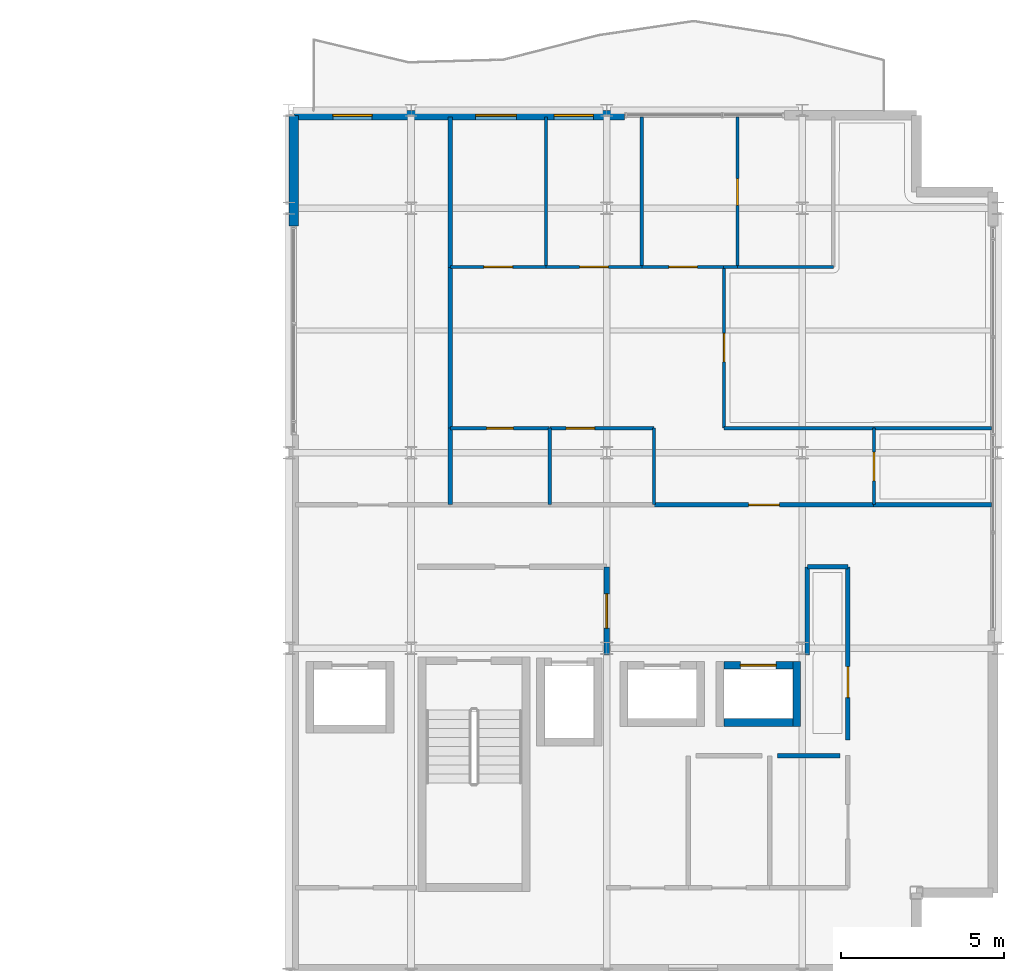
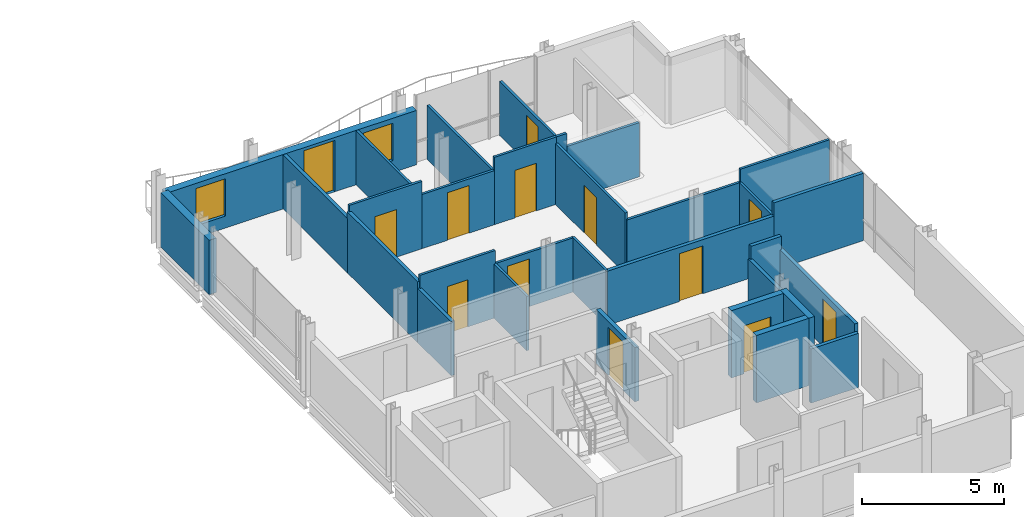
# One storey, part 26 of 29: 31 walls, 13 doors, 2 windows, 15 openings.
"""IFC4 building model written with IfcOpenShell, lengths in metres."""

from ifc_helpers import new_model, si_unit, direction, frame, frame_2d, origin, place, context, subcontext, project, spatial, rectangle, extrude, material, layer, layer_set, type_object, element, fill, save


model = new_model("IFC4")

# Units and contexts
model_context = context("Model", 3, precision=1e-05, world=origin(), true_north=direction((0.0, 1.0)))
body_context = subcontext(model_context, "Body", "Model", "MODEL_VIEW")
ifc_project = project(units=[si_unit("LENGTHUNIT", "METRE"), si_unit("AREAUNIT", "SQUARE_METRE"), si_unit("VOLUMEUNIT", "CUBIC_METRE"), si_unit("PLANEANGLEUNIT", "RADIAN"), si_unit("MASSUNIT", "GRAM", prefix="KILO")], contexts=[model_context])

# Site, building, storey
site_placement = place(None, origin())
site = spatial("IfcSite", under=ifc_project, at=site_placement, CompositionType="ELEMENT")
building_placement = place(site_placement, origin())
building = spatial("IfcBuilding", under=site, at=building_placement, Name="Brevholm Reach", CompositionType="ELEMENT")
storey_placement = place(building_placement, frame((0.0, 0.0, 208.0)))
storey = spatial("IfcBuildingStorey", under=building, at=storey_placement, Name="L63", CompositionType="ELEMENT", Elevation=208.0)

# Walls
ifc_material_1 = material(Name="Concrete C45/55", Category="concrete")
ifc_layer_1 = layer(ifc_material_1, 0.239990234375)
ifc_layer_set_1 = layer_set([ifc_layer_1], Name="Concrete C45/55")
wall_type_1 = type_object("IfcWallType", Name="WAL-COR-240", PredefinedType="SHEAR", material=ifc_layer_set_1)
wall_1_placement = place(storey_placement, frame((53.830078125, 7.60009765625, 0.0), z_axis=(0.0, 0.0, 1.0), x_axis=(0.0, 1.0, 0.0)))
element("IfcWall", 1, at=wall_1_placement, inside=storey, type_object=wall_type_1, Name="L63 Lift PL-H2 Shaft Wall E", PredefinedType="SHEAR", context=body_context, shape_type="SweptSolid", body=[
    extrude(rectangle(XDim=2.0, YDim=0.239990234375, at=frame_2d((1.0, 0.0))), origin(), (0.0, 0.0, 1.0), 2.889892578125),
])
wall_2_placement = place(storey_placement, frame((51.590087890625, 7.719970703125, 0.0), z_axis=(0.0, 0.0, 1.0), x_axis=(1.0, 0.0, 0.0)))
element("IfcWall", 2, at=wall_2_placement, inside=storey, type_object=wall_type_1, Name="L63 Lift PL-H2 Shaft Wall S", PredefinedType="SHEAR", context=body_context, shape_type="SweptSolid", body=[
    extrude(rectangle(XDim=2.119873046875, YDim=0.239990234375, at=frame_2d((1.06005859375, 0.0))), origin(), (0.0, 0.0, 1.0), 2.889892578125),
])

# Wall, opening, door
wall_3_placement = place(storey_placement, frame((51.590087890625, 9.47998046875, 0.0), z_axis=(0.0, 0.0, 1.0), x_axis=(1.0, 0.0, 0.0)))
wall_3 = element("IfcWall", 3, at=wall_3_placement, inside=storey, type_object=wall_type_1, Name="L63 Lift PL-H2 Shaft Wall N", PredefinedType="SHEAR", context=body_context, shape_type="SweptSolid", body=[
    extrude(rectangle(XDim=2.119873046875, YDim=0.239990234375, at=frame_2d((1.06005859375, 0.0))), origin(), (0.0, 0.0, 1.0), 2.889892578125),
])
opening_1_placement = place(wall_3_placement, frame((0.510009765625, 0.0, 0.0)))
opening_1 = element("IfcOpeningElement", 4, at=opening_1_placement, cuts=wall_3, Name="Opening LD-PL-H2", PredefinedType="OPENING", context=body_context, shape_type="SweptSolid", body=[
    extrude(rectangle(XDim=1.10009765625, YDim=2.06005859375, at=frame_2d((0.550048828125, 1.030029296875))), frame((0.0, 0.1298828125, 0.0), z_axis=(0.0, -1.0, 0.0), x_axis=(1.0, 0.0, 0.0)), (0.0, 0.0, 1.0), 0.260009765625),
])
ifc_material_2 = material(Name="Brushed Stainless Steel Fire-Rated Sliding Lift Door", Category="steel")
door_type_1 = type_object("IfcDoorType", Name="DOR-LFT-1100", OperationType="NOTDEFINED", PredefinedType="DOOR", material=ifc_material_2)
door_1_placement = place(opening_1_placement, origin())
door_1 = element("IfcDoor", 5, at=door_1_placement, inside=storey, type_object=door_type_1, Name="L63 Lift PL-H2 Sliding Landing Door", OperationType="SLIDING_TO_LEFT", OverallHeight=2.06005859375, OverallWidth=1.10009765625, PredefinedType="DOOR", context=body_context, shape_type="SweptSolid", body=[
    extrude(rectangle(XDim=1.10009765625, YDim=2.06005859375, at=frame_2d((0.550048828125, 1.030029296875))), frame((0.0, 0.02490234375, 0.0), z_axis=(0.0, -1.0, 0.0), x_axis=(1.0, 0.0, 0.0)), (0.0, 0.0, 1.0), 0.050048828125),
])
fill(opening_1, door_1)

# Wall
ifc_material_3 = material(Name="Concrete C40/50", Category="concrete")
ifc_layer_2 = layer(ifc_material_3, 0.300048828125)
ifc_layer_set_2 = layer_set([ifc_layer_2], Name="Concrete C40/50")
wall_type_2 = type_object("IfcWallType", Name="WAL-EXT-300", PredefinedType="STANDARD", material=ifc_layer_set_2)
wall_4_placement = place(storey_placement, frame((38.39990234375, 26.35009765625, 0.0), z_axis=(0.0, 0.0, 1.0), x_axis=(0.0, -1.0, 0.0)))
element("IfcWall", 6, at=wall_4_placement, inside=storey, type_object=wall_type_2, Name="L63 Facade Wall WAL-L63-VP-EN", PredefinedType="STANDARD", context=body_context, shape_type="SweptSolid", body=[
    extrude(rectangle(XDim=3.400146484375, YDim=0.300048828125, at=frame_2d((1.7001953125, 0.0))), origin(), (0.0, 0.0, 1.0), 2.331787109375),
])

# Wall, openings, door, windows
wall_5_placement = place(storey_placement, frame((38.39990234375, 26.35009765625, 0.0), z_axis=(0.0, 0.0, 1.0), x_axis=(1.0, 0.0, 0.0)))
wall_5 = element("IfcWall", 7, at=wall_5_placement, inside=storey, type_object=wall_type_2, Name="L63 Facade Wall WAL-L63-EW-NP1", PredefinedType="STANDARD", context=body_context, shape_type="SweptSolid", body=[
    extrude(rectangle(XDim=10.150146484375, YDim=0.300048828125, at=frame_2d((5.0751953125, 0.0))), origin(), (0.0, 0.0, 1.0), 2.331787109375),
])
opening_2_placement = place(wall_5_placement, frame((5.5810546875, 0.0, 0.0)))
opening_2 = element("IfcOpeningElement", 8, at=opening_2_placement, cuts=wall_5, Name="Opening BD-02", PredefinedType="OPENING", context=body_context, shape_type="SweptSolid", body=[
    extrude(rectangle(XDim=1.25, YDim=2.199951171875, at=frame_2d((0.625, 1.10009765625))), frame((0.0, 0.159912109375, 0.0), z_axis=(0.0, -1.0, 0.0), x_axis=(1.0, 0.0, 0.0)), (0.0, 0.0, 1.0), 0.320068359375),
])
opening_3_placement = place(wall_5_placement, frame((1.199951171875, 0.0, 0.511962890625)))
opening_3 = element("IfcOpeningElement", 9, at=opening_3_placement, cuts=wall_5, Name="Opening WN-08", PredefinedType="OPENING", context=body_context, shape_type="SweptSolid", body=[
    extrude(rectangle(XDim=1.199951171875, YDim=1.60009765625, at=frame_2d((0.60009765625, 0.800048828125))), frame((0.0, 0.159912109375, 0.0), z_axis=(0.0, -1.0, 0.0), x_axis=(1.0, 0.0, 0.0)), (0.0, 0.0, 1.0), 0.320068359375),
])
opening_4_placement = place(wall_5_placement, frame((7.990234375, 0.0, 0.511962890625)))
opening_4 = element("IfcOpeningElement", 10, at=opening_4_placement, cuts=wall_5, Name="Opening WN-08", PredefinedType="OPENING", context=body_context, shape_type="SweptSolid", body=[
    extrude(rectangle(XDim=1.199951171875, YDim=1.60009765625, at=frame_2d((0.60009765625, 0.800048828125))), frame((0.0, 0.159912109375, 0.0), z_axis=(0.0, -1.0, 0.0), x_axis=(1.0, 0.0, 0.0)), (0.0, 0.0, 1.0), 0.320068359375),
])
ifc_material_4 = material(Name="Dark Anodised Aluminium and Triple-Glazed Glass", Category="aluminium")
door_type_2 = type_object("IfcDoorType", Name="DOR-BALC-1250", OperationType="NOTDEFINED", PredefinedType="DOOR", material=ifc_material_4)
door_2_placement = place(opening_2_placement, origin())
door_2 = element("IfcDoor", 11, at=door_2_placement, inside=storey, type_object=door_type_2, Name="L63 Exterior Door DOR-L63-BL-NE", OperationType="SINGLE_SWING_RIGHT", OverallHeight=2.199951171875, OverallWidth=1.25, PredefinedType="DOOR", context=body_context, shape_type="SweptSolid", body=[
    extrude(rectangle(XDim=1.25, YDim=2.199951171875, at=frame_2d((0.625, 1.10009765625))), frame((0.0, 0.02490234375, 0.0), z_axis=(0.0, -1.0, 0.0), x_axis=(1.0, 0.0, 0.0)), (0.0, 0.0, 1.0), 0.050048828125),
])
fill(opening_2, door_2)
ifc_material_5 = material(Name="Dark Anodised Aluminium and Solar-Control IGU Glass", Category="aluminium")
window_type = type_object("IfcWindowType", Name="WIN-RES-1200", PartitioningType="SINGLE_PANEL", PredefinedType="WINDOW", material=ifc_material_5)
window_1_placement = place(opening_3_placement, origin())
window_1 = element("IfcWindow", 12, at=window_1_placement, inside=storey, type_object=window_type, Name="L63 Window WIN-L63-EW-NP1", OverallHeight=1.60009765625, OverallWidth=1.199951171875, PartitioningType="SINGLE_PANEL", PredefinedType="WINDOW", context=body_context, shape_type="SweptSolid", body=[
    extrude(rectangle(XDim=1.199951171875, YDim=1.60009765625, at=frame_2d((0.60009765625, 0.800048828125))), frame((0.0, 0.030029296875, 0.0), z_axis=(0.0, -1.0, 0.0), x_axis=(1.0, 0.0, 0.0)), (0.0, 0.0, 1.0), 0.06005859375),
])
fill(opening_3, window_1)
window_2_placement = place(opening_4_placement, origin())
window_2 = element("IfcWindow", 13, at=window_2_placement, inside=storey, type_object=window_type, Name="L63 Bedroom Window 065", OverallHeight=1.60009765625, OverallWidth=1.199951171875, PartitioningType="SINGLE_PANEL", PredefinedType="WINDOW", context=body_context, shape_type="SweptSolid", body=[
    extrude(rectangle(XDim=1.199951171875, YDim=1.60009765625, at=frame_2d((0.60009765625, 0.800048828125))), frame((0.0, 0.030029296875, 0.0), z_axis=(0.0, -1.0, 0.0), x_axis=(1.0, 0.0, 0.0)), (0.0, 0.0, 1.0), 0.06005859375),
])
fill(opening_4, window_2)

# Wall
ifc_material_6 = material(Name="Moisture-Resistant Acoustic Gypsum Stud Partition 100 mm", Category="gypsum")
ifc_layer_3 = layer(ifc_material_6, 0.10009765625)
ifc_layer_set_3 = layer_set([ifc_layer_3], Name="Moisture-Resistant Acoustic Gypsum Stud Partition 100 mm")
wall_type_3 = type_object("IfcWallType", Name="WAL-PRT-100", PredefinedType="PARTITIONING", material=ifc_layer_set_3)
wall_6_placement = place(storey_placement, frame((46.25, 14.404052734375, 0.0), z_axis=(0.0, 0.0, 1.0), x_axis=(0.0, 1.0, 0.0)))
element("IfcWall", 14, at=wall_6_placement, inside=storey, type_object=wall_type_3, Name="L63 Internal Partition 076", PredefinedType="PARTITIONING", context=body_context, shape_type="SweptSolid", body=[
    extrude(rectangle(XDim=2.345947265625, YDim=0.10009765625, at=frame_2d((1.1728515625, 0.0))), origin(), (0.0, 0.0, 1.0), 2.325439453125),
])

# Wall, opening, door
wall_7_placement = place(storey_placement, frame((43.2041015625, 16.75, 0.0), z_axis=(0.0, 0.0, 1.0), x_axis=(1.0, 0.0, 0.0)))
wall_7 = element("IfcWall", 15, at=wall_7_placement, inside=storey, type_object=wall_type_3, Name="L63 Internal Partition 077", PredefinedType="PARTITIONING", context=body_context, shape_type="SweptSolid", body=[
    extrude(rectangle(XDim=3.0458984375, YDim=0.10009765625, at=frame_2d((1.52294921875, 0.0))), origin(), (0.0, 0.0, 1.0), 2.889892578125),
])
opening_5_placement = place(wall_7_placement, frame((1.113037109375, 0.0, 0.0)))
opening_5 = element("IfcOpeningElement", 16, at=opening_5_placement, cuts=wall_7, Name="Opening ID-03", PredefinedType="OPENING", context=body_context, shape_type="SweptSolid", body=[
    extrude(rectangle(XDim=0.820068359375, YDim=2.02001953125, at=frame_2d((0.41015625, 1.010009765625))), frame((0.0, 0.06005859375, 0.0), z_axis=(0.0, -1.0, 0.0), x_axis=(1.0, 0.0, 0.0)), (0.0, 0.0, 1.0), 0.1201171875),
])
ifc_material_7 = material(Name="Moisture-Resistant Painted Timber Internal Bathroom Door", Category="wood")
door_type_3 = type_object("IfcDoorType", Name="DOR-BATH-820", OperationType="NOTDEFINED", PredefinedType="DOOR", material=ifc_material_7)
door_3_placement = place(opening_5_placement, origin())
door_3 = element("IfcDoor", 17, at=door_3_placement, inside=storey, type_object=door_type_3, Name="L63 Internal Door 033", OperationType="SINGLE_SWING_RIGHT", OverallHeight=2.02001953125, OverallWidth=0.820068359375, PredefinedType="DOOR", context=body_context, shape_type="SweptSolid", body=[
    extrude(rectangle(XDim=0.820068359375, YDim=2.02001953125, at=frame_2d((0.41015625, 1.010009765625))), frame((0.0, 0.02490234375, 0.0), z_axis=(0.0, -1.0, 0.0), x_axis=(1.0, 0.0, 0.0)), (0.0, 0.0, 1.0), 0.050048828125),
])
fill(opening_5, door_3)

# Wall
wall_8_placement = place(storey_placement, frame((49.449951171875, 14.404052734375, 0.0), z_axis=(0.0, 0.0, 1.0), x_axis=(0.0, 1.0, 0.0)))
element("IfcWall", 18, at=wall_8_placement, inside=storey, type_object=wall_type_3, Name="L63 Internal Partition 078", PredefinedType="PARTITIONING", context=body_context, shape_type="SweptSolid", body=[
    extrude(rectangle(XDim=2.345947265625, YDim=0.10009765625, at=frame_2d((1.1728515625, 0.0))), origin(), (0.0, 0.0, 1.0), 2.325439453125),
])

# Wall, opening, door
wall_9_placement = place(storey_placement, frame((46.25390625, 16.75, 0.0), z_axis=(0.0, 0.0, 1.0), x_axis=(1.0, 0.0, 0.0)))
wall_9 = element("IfcWall", 19, at=wall_9_placement, inside=storey, type_object=wall_type_3, Name="L63 Internal Partition 079", PredefinedType="PARTITIONING", context=body_context, shape_type="SweptSolid", body=[
    extrude(rectangle(XDim=3.196044921875, YDim=0.10009765625, at=frame_2d((1.59814453125, 0.0))), origin(), (0.0, 0.0, 1.0), 2.325439453125),
])
opening_6_placement = place(wall_9_placement, frame((0.498046875, 0.0, 0.0)))
opening_6 = element("IfcOpeningElement", 20, at=opening_6_placement, cuts=wall_9, Name="Opening ID-01", PredefinedType="OPENING", context=body_context, shape_type="SweptSolid", body=[
    extrude(rectangle(XDim=0.8798828125, YDim=2.0400390625, at=frame_2d((0.43994140625, 1.02001953125))), frame((0.0, 0.06005859375, 0.0), z_axis=(0.0, -1.0, 0.0), x_axis=(1.0, 0.0, 0.0)), (0.0, 0.0, 1.0), 0.1201171875),
])
ifc_material_8 = material(Name="Lacquered Ash Solid-Core Acoustic Internal Door", Category="timber")
door_type_4 = type_object("IfcDoorType", Name="DOR-INT-880", OperationType="NOTDEFINED", PredefinedType="DOOR", material=ifc_material_8)
door_4_placement = place(opening_6_placement, origin())
door_4 = element("IfcDoor", 21, at=door_4_placement, inside=storey, type_object=door_type_4, Name="L63 Internal Door 034", OperationType="SINGLE_SWING_LEFT", OverallHeight=2.0400390625, OverallWidth=0.8798828125, PredefinedType="DOOR", context=body_context, shape_type="SweptSolid", body=[
    extrude(rectangle(XDim=0.8798828125, YDim=2.0400390625, at=frame_2d((0.43994140625, 1.02001953125))), frame((0.0, 0.02490234375, 0.0), z_axis=(0.0, -1.0, 0.0), x_axis=(1.0, 0.0, 0.0)), (0.0, 0.0, 1.0), 0.050048828125),
])
fill(opening_6, door_4)

# Wall
wall_10_placement = place(storey_placement, frame((56.199951171875, 16.75, 0.0), z_axis=(0.0, 0.0, 1.0), x_axis=(1.0, 0.0, 0.0)))
element("IfcWall", 22, at=wall_10_placement, inside=storey, type_object=wall_type_3, Name="L63 Internal Partition 080", PredefinedType="PARTITIONING", context=body_context, shape_type="SweptSolid", body=[
    extrude(rectangle(XDim=3.60009765625, YDim=0.10009765625, at=frame_2d((1.800048828125, 0.0))), origin(), (0.0, 0.0, 1.0), 2.889892578125),
])

# Wall, opening, door
wall_11_placement = place(storey_placement, frame((56.199951171875, 14.404052734375, 0.0), z_axis=(0.0, 0.0, 1.0), x_axis=(0.0, 1.0, 0.0)))
wall_11 = element("IfcWall", 23, at=wall_11_placement, inside=storey, type_object=wall_type_3, Name="L63 Internal Partition 081", PredefinedType="PARTITIONING", context=body_context, shape_type="SweptSolid", body=[
    extrude(rectangle(XDim=2.345947265625, YDim=0.10009765625, at=frame_2d((1.1728515625, 0.0))), origin(), (0.0, 0.0, 1.0), 2.325439453125),
])
opening_7_placement = place(wall_11_placement, frame((0.73291015625, 0.0, 0.0)))
opening_7 = element("IfcOpeningElement", 24, at=opening_7_placement, cuts=wall_11, Name="Opening ID-01", PredefinedType="OPENING", context=body_context, shape_type="SweptSolid", body=[
    extrude(rectangle(XDim=0.8798828125, YDim=2.0400390625, at=frame_2d((0.43994140625, 1.02001953125))), frame((0.0, 0.06005859375, 0.0), z_axis=(0.0, -1.0, 0.0), x_axis=(1.0, 0.0, 0.0)), (0.0, 0.0, 1.0), 0.1201171875),
])
door_5_placement = place(opening_7_placement, origin())
door_5 = element("IfcDoor", 25, at=door_5_placement, inside=storey, type_object=door_type_4, Name="L63 Internal Door 035", OperationType="SINGLE_SWING_RIGHT", OverallHeight=2.0400390625, OverallWidth=0.8798828125, PredefinedType="DOOR", context=body_context, shape_type="SweptSolid", body=[
    extrude(rectangle(XDim=0.8798828125, YDim=2.0400390625, at=frame_2d((0.43994140625, 1.02001953125))), frame((0.0, 0.02490234375, 0.0), z_axis=(0.0, -1.0, 0.0), x_axis=(1.0, 0.0, 0.0)), (0.0, 0.0, 1.0), 0.050048828125),
])
fill(opening_7, door_5)

# Wall
wall_12_placement = place(storey_placement, frame((46.137939453125, 21.699951171875, 0.0), z_axis=(0.0, 0.0, 1.0), x_axis=(0.0, 1.0, 0.0)))
element("IfcWall", 26, at=wall_12_placement, inside=storey, type_object=wall_type_3, Name="L63 Internal Partition 082", PredefinedType="PARTITIONING", context=body_context, shape_type="SweptSolid", body=[
    extrude(rectangle(XDim=4.60009765625, YDim=0.10009765625, at=frame_2d((2.300048828125, 0.0))), origin(), (0.0, 0.0, 1.0), 2.325439453125),
])

# Wall, opening, door
wall_13_placement = place(storey_placement, frame((43.2041015625, 21.699951171875, 0.0), z_axis=(0.0, 0.0, 1.0), x_axis=(1.0, 0.0, 0.0)))
wall_13 = element("IfcWall", 27, at=wall_13_placement, inside=storey, type_object=wall_type_3, Name="L63 Internal Partition 083", PredefinedType="PARTITIONING", context=body_context, shape_type="SweptSolid", body=[
    extrude(rectangle(XDim=2.933837890625, YDim=0.10009765625, at=frame_2d((1.466796875, 0.0))), origin(), (0.0, 0.0, 1.0), 2.889892578125),
])
opening_8_placement = place(wall_13_placement, frame((1.027099609375, 0.0, 0.0)))
opening_8 = element("IfcOpeningElement", 28, at=opening_8_placement, cuts=wall_13, Name="Opening ID-01", PredefinedType="OPENING", context=body_context, shape_type="SweptSolid", body=[
    extrude(rectangle(XDim=0.8798828125, YDim=2.0400390625, at=frame_2d((0.43994140625, 1.02001953125))), frame((0.0, 0.06005859375, 0.0), z_axis=(0.0, -1.0, 0.0), x_axis=(1.0, 0.0, 0.0)), (0.0, 0.0, 1.0), 0.1201171875),
])
door_6_placement = place(opening_8_placement, origin())
door_6 = element("IfcDoor", 29, at=door_6_placement, inside=storey, type_object=door_type_4, Name="L63 Internal Door 036", OperationType="SINGLE_SWING_LEFT", OverallHeight=2.0400390625, OverallWidth=0.8798828125, PredefinedType="DOOR", context=body_context, shape_type="SweptSolid", body=[
    extrude(rectangle(XDim=0.8798828125, YDim=2.0400390625, at=frame_2d((0.43994140625, 1.02001953125))), frame((0.0, 0.02490234375, 0.0), z_axis=(0.0, -1.0, 0.0), x_axis=(1.0, 0.0, 0.0)), (0.0, 0.0, 1.0), 0.050048828125),
])
fill(opening_8, door_6)

# Wall
wall_14_placement = place(storey_placement, frame((49.074951171875, 21.699951171875, 0.0), z_axis=(0.0, 0.0, 1.0), x_axis=(0.0, 1.0, 0.0)))
element("IfcWall", 30, at=wall_14_placement, inside=storey, type_object=wall_type_3, Name="L63 Internal Partition 084", PredefinedType="PARTITIONING", context=body_context, shape_type="SweptSolid", body=[
    extrude(rectangle(XDim=4.60009765625, YDim=0.10009765625, at=frame_2d((2.300048828125, 0.0))), origin(), (0.0, 0.0, 1.0), 2.325439453125),
])

# Wall, opening, door
wall_15_placement = place(storey_placement, frame((46.14208984375, 21.699951171875, 0.0), z_axis=(0.0, 0.0, 1.0), x_axis=(1.0, 0.0, 0.0)))
wall_15 = element("IfcWall", 31, at=wall_15_placement, inside=storey, type_object=wall_type_3, Name="L63 Internal Partition 085", PredefinedType="PARTITIONING", context=body_context, shape_type="SweptSolid", body=[
    extrude(rectangle(XDim=2.932861328125, YDim=0.10009765625, at=frame_2d((1.46630859375, 0.0))), origin(), (0.0, 0.0, 1.0), 2.325439453125),
])
opening_9_placement = place(wall_15_placement, frame((1.026611328125, 0.0, 0.0)))
opening_9 = element("IfcOpeningElement", 32, at=opening_9_placement, cuts=wall_15, Name="Opening ID-01", PredefinedType="OPENING", context=body_context, shape_type="SweptSolid", body=[
    extrude(rectangle(XDim=0.8798828125, YDim=2.0400390625, at=frame_2d((0.43994140625, 1.02001953125))), frame((0.0, 0.06005859375, 0.0), z_axis=(0.0, -1.0, 0.0), x_axis=(1.0, 0.0, 0.0)), (0.0, 0.0, 1.0), 0.1201171875),
])
door_7_placement = place(opening_9_placement, origin())
door_7 = element("IfcDoor", 33, at=door_7_placement, inside=storey, type_object=door_type_4, Name="L63 Internal Door 037", OperationType="SINGLE_SWING_RIGHT", OverallHeight=2.0400390625, OverallWidth=0.8798828125, PredefinedType="DOOR", context=body_context, shape_type="SweptSolid", body=[
    extrude(rectangle(XDim=0.8798828125, YDim=2.0400390625, at=frame_2d((0.43994140625, 1.02001953125))), frame((0.0, 0.02490234375, 0.0), z_axis=(0.0, -1.0, 0.0), x_axis=(1.0, 0.0, 0.0)), (0.0, 0.0, 1.0), 0.050048828125),
])
fill(opening_9, door_7)

wall_16_placement = place(storey_placement, frame((52.012939453125, 21.699951171875, 0.0), z_axis=(0.0, 0.0, 1.0), x_axis=(0.0, 1.0, 0.0)))
wall_16 = element("IfcWall", 34, at=wall_16_placement, inside=storey, type_object=wall_type_3, Name="L63 Internal Partition 086", PredefinedType="PARTITIONING", context=body_context, shape_type="SweptSolid", body=[
    extrude(rectangle(XDim=4.60009765625, YDim=0.10009765625, at=frame_2d((2.300048828125, 0.0))), origin(), (0.0, 0.0, 1.0), 2.325439453125),
])
opening_10_placement = place(wall_16_placement, frame((1.889892578125, 0.0, 0.0)))
opening_10 = element("IfcOpeningElement", 35, at=opening_10_placement, cuts=wall_16, Name="Opening ID-03", PredefinedType="OPENING", context=body_context, shape_type="SweptSolid", body=[
    extrude(rectangle(XDim=0.820068359375, YDim=2.02001953125, at=frame_2d((0.41015625, 1.010009765625))), frame((0.0, 0.06005859375, 0.0), z_axis=(0.0, -1.0, 0.0), x_axis=(1.0, 0.0, 0.0)), (0.0, 0.0, 1.0), 0.1201171875),
])
door_8_placement = place(opening_10_placement, origin())
door_8 = element("IfcDoor", 36, at=door_8_placement, inside=storey, type_object=door_type_3, Name="L63 Access Door 040", OperationType="SINGLE_SWING_LEFT", OverallHeight=2.02001953125, OverallWidth=0.820068359375, PredefinedType="DOOR", context=body_context, shape_type="SweptSolid", body=[
    extrude(rectangle(XDim=0.820068359375, YDim=2.02001953125, at=frame_2d((0.41015625, 1.010009765625))), frame((0.0, 0.02490234375, 0.0), z_axis=(0.0, -1.0, 0.0), x_axis=(1.0, 0.0, 0.0)), (0.0, 0.0, 1.0), 0.050048828125),
])
fill(opening_10, door_8)

# Wall
wall_17_placement = place(storey_placement, frame((51.588623046875, 21.699951171875, 0.0), z_axis=(0.0, 0.0, 1.0), x_axis=(1.0, 0.0, 0.0)))
element("IfcWall", 37, at=wall_17_placement, inside=storey, type_object=wall_type_3, Name="L63 Internal Partition 087", PredefinedType="PARTITIONING", context=body_context, shape_type="SweptSolid", body=[
    extrude(rectangle(XDim=0.42431640625, YDim=0.10009765625, at=frame_2d((0.212158203125, 0.0))), origin(), (0.0, 0.0, 1.0), 2.889892578125),
])

# Wall, opening, door
wall_18_placement = place(storey_placement, frame((49.0791015625, 21.699951171875, 0.0), z_axis=(0.0, 0.0, 1.0), x_axis=(1.0, 0.0, 0.0)))
wall_18 = element("IfcWall", 38, at=wall_18_placement, inside=storey, type_object=wall_type_3, Name="L63 Internal Partition 088", PredefinedType="PARTITIONING", context=body_context, shape_type="SweptSolid", body=[
    extrude(rectangle(XDim=2.5283203125, YDim=0.10009765625, at=frame_2d((1.26416015625, 0.0))), origin(), (0.0, 0.0, 1.0), 2.889892578125),
])
opening_11_placement = place(wall_18_placement, frame((0.82421875, 0.0, 0.0)))
opening_11 = element("IfcOpeningElement", 39, at=opening_11_placement, cuts=wall_18, Name="Opening ID-01", PredefinedType="OPENING", context=body_context, shape_type="SweptSolid", body=[
    extrude(rectangle(XDim=0.8798828125, YDim=2.0400390625, at=frame_2d((0.43994140625, 1.02001953125))), frame((0.0, 0.06005859375, 0.0), z_axis=(0.0, -1.0, 0.0), x_axis=(1.0, 0.0, 0.0)), (0.0, 0.0, 1.0), 0.1201171875),
])
door_9_placement = place(opening_11_placement, origin())
door_9 = element("IfcDoor", 40, at=door_9_placement, inside=storey, type_object=door_type_4, Name="L63 Internal Door 038", OperationType="SINGLE_SWING_LEFT", OverallHeight=2.0400390625, OverallWidth=0.8798828125, PredefinedType="DOOR", context=body_context, shape_type="SweptSolid", body=[
    extrude(rectangle(XDim=0.8798828125, YDim=2.0400390625, at=frame_2d((0.43994140625, 1.02001953125))), frame((0.0, 0.02490234375, 0.0), z_axis=(0.0, -1.0, 0.0), x_axis=(1.0, 0.0, 0.0)), (0.0, 0.0, 1.0), 0.050048828125),
])
fill(opening_11, door_9)

# Wall
wall_19_placement = place(storey_placement, frame((52.01708984375, 21.699951171875, 0.0), z_axis=(0.0, 0.0, 1.0), x_axis=(1.0, 0.0, 0.0)))
element("IfcWall", 41, at=wall_19_placement, inside=storey, type_object=wall_type_3, Name="L63 Internal Partition 089", PredefinedType="PARTITIONING", context=body_context, shape_type="SweptSolid", body=[
    extrude(rectangle(XDim=2.932861328125, YDim=0.10009765625, at=frame_2d((1.46630859375, 0.0))), origin(), (0.0, 0.0, 1.0), 2.325439453125),
])

# Wall, opening, door
wall_20_placement = place(storey_placement, frame((51.60009765625, 16.75, 0.0), z_axis=(0.0, 0.0, 1.0), x_axis=(0.0, 1.0, 0.0)))
wall_20 = element("IfcWall", 42, at=wall_20_placement, inside=storey, type_object=wall_type_3, Name="L63 Internal Partition 091", PredefinedType="PARTITIONING", context=body_context, shape_type="SweptSolid", body=[
    extrude(rectangle(XDim=4.946044921875, YDim=0.10009765625, at=frame_2d((2.47314453125, 0.0))), origin(), (0.0, 0.0, 1.0), 2.613525390625),
])
opening_12_placement = place(wall_20_placement, frame((2.032958984375, 0.0, 0.0)))
opening_12 = element("IfcOpeningElement", 43, at=opening_12_placement, cuts=wall_20, Name="Opening ID-01", PredefinedType="OPENING", context=body_context, shape_type="SweptSolid", body=[
    extrude(rectangle(XDim=0.8798828125, YDim=2.0400390625, at=frame_2d((0.43994140625, 1.02001953125))), frame((0.0, 0.06005859375, 0.0), z_axis=(0.0, -1.0, 0.0), x_axis=(1.0, 0.0, 0.0)), (0.0, 0.0, 1.0), 0.1201171875),
])
door_10_placement = place(opening_12_placement, origin())
door_10 = element("IfcDoor", 44, at=door_10_placement, inside=storey, type_object=door_type_4, Name="L63 Internal Door 039", OperationType="SINGLE_SWING_RIGHT", OverallHeight=2.0400390625, OverallWidth=0.8798828125, PredefinedType="DOOR", context=body_context, shape_type="SweptSolid", body=[
    extrude(rectangle(XDim=0.8798828125, YDim=2.0400390625, at=frame_2d((0.43994140625, 1.02001953125))), frame((0.0, 0.02490234375, 0.0), z_axis=(0.0, -1.0, 0.0), x_axis=(1.0, 0.0, 0.0)), (0.0, 0.0, 1.0), 0.050048828125),
])
fill(opening_12, door_10)

# Wall
wall_21_placement = place(storey_placement, frame((51.60009765625, 16.75, 0.0), z_axis=(0.0, 0.0, 1.0), x_axis=(1.0, 0.0, 0.0)))
element("IfcWall", 45, at=wall_21_placement, inside=storey, type_object=wall_type_3, Name="L63 Internal Partition 092", PredefinedType="PARTITIONING", context=body_context, shape_type="SweptSolid", body=[
    extrude(rectangle(XDim=4.595947265625, YDim=0.10009765625, at=frame_2d((2.2978515625, 0.0))), origin(), (0.0, 0.0, 1.0), 2.325439453125),
])

# Wall, opening, door
ifc_material_9 = material(Name="Twin-Stud Acoustic Fire-Rated Gypsum Partition 140 mm", Category="gypsum")
ifc_layer_4 = layer(ifc_material_9, 0.139892578125)
ifc_layer_set_4 = layer_set([ifc_layer_4], Name="Twin-Stud Acoustic Fire-Rated Gypsum Partition 140 mm")
wall_type_4 = type_object("IfcWallType", Name="WAL-PRT-140", PredefinedType="PARTITIONING", material=ifc_layer_set_4)
wall_22_placement = place(storey_placement, frame((55.39990234375, 7.188720703125, 0.0), z_axis=(0.0, 0.0, 1.0), x_axis=(0.0, 1.0, 0.0)))
wall_22 = element("IfcWall", 46, at=wall_22_placement, inside=storey, type_object=wall_type_4, Name="L63 Internal Partition 006", PredefinedType="PARTITIONING", context=body_context, shape_type="SweptSolid", body=[
    extrude(rectangle(XDim=5.311279296875, YDim=0.139892578125, at=frame_2d((2.65576171875, 0.0))), origin(), (0.0, 0.0, 1.0), 2.325439453125),
])
opening_13_placement = place(wall_22_placement, frame((1.30078125, 0.0, 0.0)))
opening_13 = element("IfcOpeningElement", 47, at=opening_13_placement, cuts=wall_22, Name="Opening ID-30", PredefinedType="OPENING", context=body_context, shape_type="SweptSolid", body=[
    extrude(rectangle(XDim=0.949951171875, YDim=2.050048828125, at=frame_2d((0.47509765625, 1.02490234375))), frame((0.0, 0.079833984375, 0.0), z_axis=(0.0, -1.0, 0.0), x_axis=(1.0, 0.0, 0.0)), (0.0, 0.0, 1.0), 0.159912109375),
])
ifc_material_10 = material(Name="European Oak Veneered Solid-Core Fire Entrance Door", Category="timber")
door_type_5 = type_object("IfcDoorType", Name="DOR-FLT-FD30S", OperationType="NOTDEFINED", PredefinedType="DOOR", material=ifc_material_10)
door_11_placement = place(opening_13_placement, origin())
door_11 = element("IfcDoor", 48, at=door_11_placement, inside=storey, type_object=door_type_5, Name="L63 Internal Door 004", OperationType="SINGLE_SWING_LEFT", OverallHeight=2.050048828125, OverallWidth=0.949951171875, PredefinedType="DOOR", context=body_context, shape_type="SweptSolid", body=[
    extrude(rectangle(XDim=0.949951171875, YDim=2.050048828125, at=frame_2d((0.47509765625, 1.02490234375))), frame((0.0, 0.02490234375, 0.0), z_axis=(0.0, -1.0, 0.0), x_axis=(1.0, 0.0, 0.0)), (0.0, 0.0, 1.0), 0.050048828125),
])
fill(opening_13, door_11)

# Walls
wall_23_placement = place(storey_placement, frame((54.14990234375, 9.800048828125, 0.0), z_axis=(0.0, 0.0, 1.0), x_axis=(0.0, 1.0, 0.0)))
element("IfcWall", 49, at=wall_23_placement, inside=storey, type_object=wall_type_4, Name="L63 Internal Partition 032", PredefinedType="PARTITIONING", context=body_context, shape_type="SweptSolid", body=[
    extrude(rectangle(XDim=2.699951171875, YDim=0.139892578125, at=frame_2d((1.35009765625, 0.0))), origin(), (0.0, 0.0, 1.0), 2.325439453125),
])
wall_24_placement = place(storey_placement, frame((54.154052734375, 12.5, 0.0), z_axis=(0.0, 0.0, 1.0), x_axis=(1.0, 0.0, 0.0)))
element("IfcWall", 50, at=wall_24_placement, inside=storey, type_object=wall_type_4, Name="L63 Internal Partition 033", PredefinedType="PARTITIONING", context=body_context, shape_type="SweptSolid", body=[
    extrude(rectangle(XDim=1.241943359375, YDim=0.139892578125, at=frame_2d((0.62109375, 0.0))), origin(), (0.0, 0.0, 1.0), 2.889892578125),
])
wall_25_placement = place(storey_placement, frame((56.188720703125, 14.39990234375, 0.0), z_axis=(0.0, 0.0, 1.0), x_axis=(1.0, 0.0, 0.0)))
element("IfcWall", 51, at=wall_25_placement, inside=storey, type_object=wall_type_4, Name="L63 Internal Partition 037", PredefinedType="PARTITIONING", context=body_context, shape_type="SweptSolid", body=[
    extrude(rectangle(XDim=3.62255859375, YDim=0.139892578125, at=frame_2d((1.811279296875, 0.0))), origin(), (0.0, 0.0, 1.0), 2.889892578125),
])

# Wall, opening, door
wall_26_placement = place(storey_placement, frame((49.442626953125, 14.39990234375, 0.0), z_axis=(0.0, 0.0, 1.0), x_axis=(1.0, 0.0, 0.0)))
wall_26 = element("IfcWall", 52, at=wall_26_placement, inside=storey, type_object=wall_type_4, Name="L63 Internal Partition 038", PredefinedType="PARTITIONING", context=body_context, shape_type="SweptSolid", body=[
    extrude(rectangle(XDim=6.7646484375, YDim=0.139892578125, at=frame_2d((3.38232421875, 0.0))), origin(), (0.0, 0.0, 1.0), 2.325439453125),
])
opening_14_placement = place(wall_26_placement, frame((2.9072265625, 0.0, 0.0)))
opening_14 = element("IfcOpeningElement", 53, at=opening_14_placement, cuts=wall_26, Name="Opening ID-30", PredefinedType="OPENING", context=body_context, shape_type="SweptSolid", body=[
    extrude(rectangle(XDim=0.949951171875, YDim=2.050048828125, at=frame_2d((0.47509765625, 1.02490234375))), frame((0.0, 0.079833984375, 0.0), z_axis=(0.0, -1.0, 0.0), x_axis=(1.0, 0.0, 0.0)), (0.0, 0.0, 1.0), 0.159912109375),
])
door_12_placement = place(opening_14_placement, origin())
door_12 = element("IfcDoor", 54, at=door_12_placement, inside=storey, type_object=door_type_5, Name="L63 Internal Door 015", OperationType="SINGLE_SWING_RIGHT", OverallHeight=2.050048828125, OverallWidth=0.949951171875, PredefinedType="DOOR", context=body_context, shape_type="SweptSolid", body=[
    extrude(rectangle(XDim=0.949951171875, YDim=2.050048828125, at=frame_2d((0.47509765625, 1.02490234375))), frame((0.0, 0.02490234375, 0.0), z_axis=(0.0, -1.0, 0.0), x_axis=(1.0, 0.0, 0.0)), (0.0, 0.0, 1.0), 0.050048828125),
])
fill(opening_14, door_12)

# Walls
wall_27_placement = place(storey_placement, frame((43.199951171875, 14.404052734375, 0.0), z_axis=(0.0, 0.0, 1.0), x_axis=(0.0, 1.0, 0.0)))
element("IfcWall", 55, at=wall_27_placement, inside=storey, type_object=wall_type_4, Name="L63 Internal Partition 073", PredefinedType="PARTITIONING", context=body_context, shape_type="SweptSolid", body=[
    extrude(rectangle(XDim=2.357177734375, YDim=0.139892578125, at=frame_2d((1.1787109375, 0.0))), origin(), (0.0, 0.0, 1.0), 2.325439453125),
])
wall_28_placement = place(storey_placement, frame((43.199951171875, 21.688720703125, 0.0), z_axis=(0.0, 0.0, 1.0), x_axis=(0.0, 1.0, 0.0)))
element("IfcWall", 56, at=wall_28_placement, inside=storey, type_object=wall_type_4, Name="L63 Internal Partition 074", PredefinedType="PARTITIONING", context=body_context, shape_type="SweptSolid", body=[
    extrude(rectangle(XDim=4.611328125, YDim=0.139892578125, at=frame_2d((2.3056640625, 0.0))), origin(), (0.0, 0.0, 1.0), 2.325439453125),
])
wall_29_placement = place(storey_placement, frame((43.199951171875, 16.74267578125, 0.0), z_axis=(0.0, 0.0, 1.0), x_axis=(0.0, 1.0, 0.0)))
element("IfcWall", 57, at=wall_29_placement, inside=storey, type_object=wall_type_4, Name="L63 Internal Partition 075", PredefinedType="PARTITIONING", context=body_context, shape_type="SweptSolid", body=[
    extrude(rectangle(XDim=4.964599609375, YDim=0.139892578125, at=frame_2d((2.482421875, 0.0))), origin(), (0.0, 0.0, 1.0), 2.613525390625),
])
wall_30_placement = place(storey_placement, frame((53.239990234375, 6.699951171875, 0.0), z_axis=(0.0, 0.0, 1.0), x_axis=(1.0, 0.0, 0.0)))
element("IfcWall", 58, at=wall_30_placement, inside=storey, type_object=wall_type_4, Name="L63 Internal Partition 094", PredefinedType="PARTITIONING", context=body_context, shape_type="SweptSolid", body=[
    extrude(rectangle(XDim=1.919921875, YDim=0.139892578125, at=frame_2d((0.9599609375, 0.0))), origin(), (0.0, 0.0, 1.0), 2.325439453125),
])

# Wall, opening, door
ifc_material_11 = material(Name="Twin-Frame Fire-Rated Gypsum Board and Mineral Wool 160 mm", Category="gypsum")
ifc_layer_5 = layer(ifc_material_11, 0.159912109375)
ifc_layer_set_5 = layer_set([ifc_layer_5], Name="Twin-Frame Fire-Rated Gypsum Board and Mineral Wool 160 mm")
wall_type_5 = type_object("IfcWallType", Name="WAL-PRT-160", PredefinedType="PARTITIONING", material=ifc_layer_set_5)
wall_31_placement = place(storey_placement, frame((48.0, 9.788818359375, 0.0), z_axis=(0.0, 0.0, 1.0), x_axis=(0.0, 1.0, 0.0)))
wall_31 = element("IfcWall", 59, at=wall_31_placement, inside=storey, type_object=wall_type_5, Name="L63 Internal Partition 030", PredefinedType="PARTITIONING", context=body_context, shape_type="SweptSolid", body=[
    extrude(rectangle(XDim=2.711181640625, YDim=0.159912109375, at=frame_2d((1.35546875, 0.0))), origin(), (0.0, 0.0, 1.0), 2.325439453125),
])
opening_15_placement = place(wall_31_placement, frame((0.83056640625, 0.0, 0.0)))
opening_15 = element("IfcOpeningElement", 60, at=opening_15_placement, cuts=wall_31, Name="Opening FD-01", PredefinedType="OPENING", context=body_context, shape_type="SweptSolid", body=[
    extrude(rectangle(XDim=1.050048828125, YDim=2.06005859375, at=frame_2d((0.52490234375, 1.030029296875))), frame((0.0, 0.08984375, 0.0), z_axis=(0.0, -1.0, 0.0), x_axis=(1.0, 0.0, 0.0)), (0.0, 0.0, 1.0), 0.179931640625),
])
ifc_material_12 = material(Name="Hardwood-Lipped Steel-Core Fire and Smoke Door", Category="steel")
door_type_6 = type_object("IfcDoorType", Name="DOR-INT-FD60S", OperationType="NOTDEFINED", PredefinedType="DOOR", material=ifc_material_12)
door_13_placement = place(opening_15_placement, origin())
door_13 = element("IfcDoor", 61, at=door_13_placement, inside=storey, type_object=door_type_6, Name="L63 Internal Door 012", OperationType="SINGLE_SWING_LEFT", OverallHeight=2.06005859375, OverallWidth=1.050048828125, PredefinedType="DOOR", context=body_context, shape_type="SweptSolid", body=[
    extrude(rectangle(XDim=1.050048828125, YDim=2.06005859375, at=frame_2d((0.52490234375, 1.030029296875))), frame((0.0, 0.02490234375, 0.0), z_axis=(0.0, -1.0, 0.0), x_axis=(1.0, 0.0, 0.0)), (0.0, 0.0, 1.0), 0.050048828125),
])
fill(opening_15, door_13)

save(model, "model.ifc")
